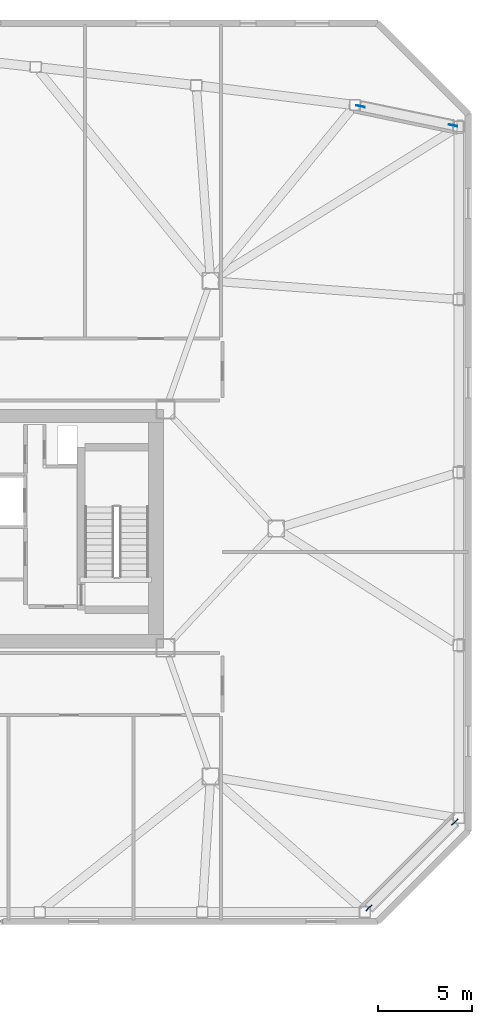
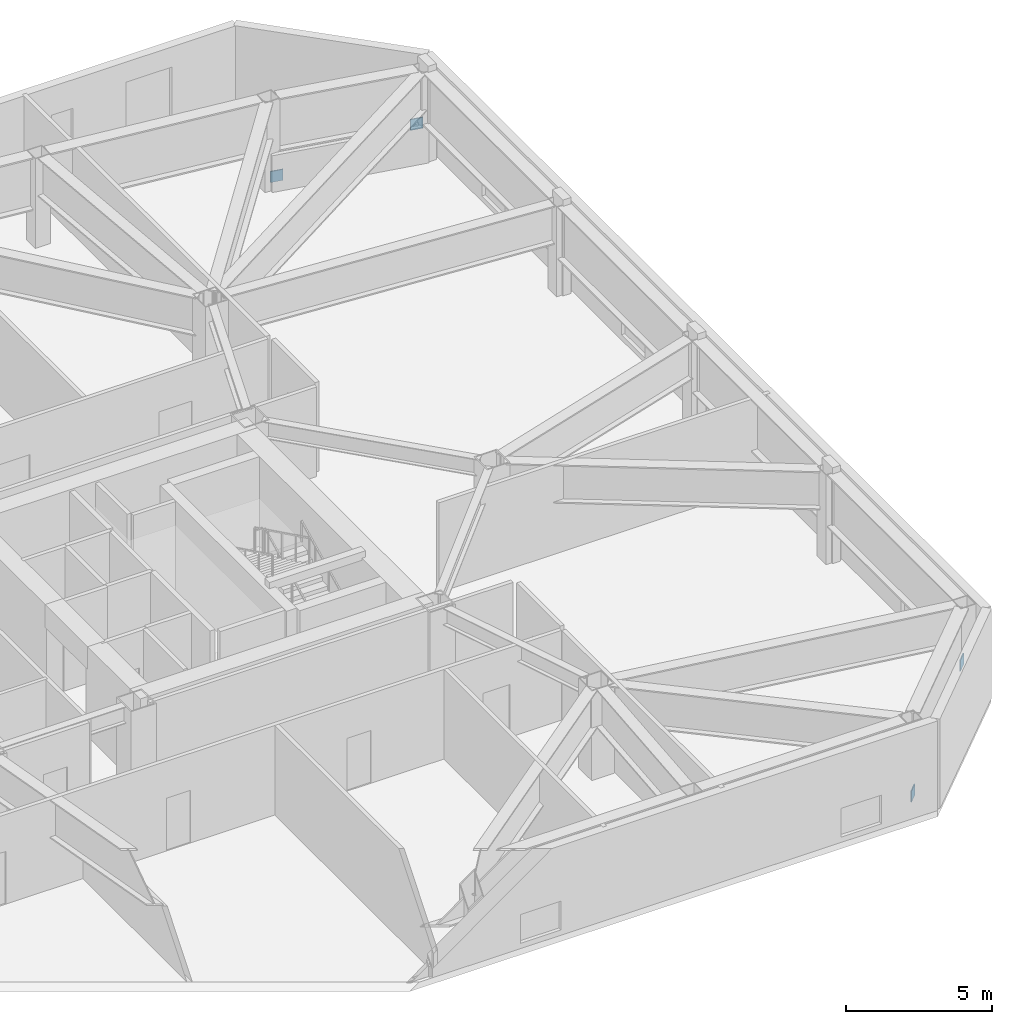
# One storey, part 16 of 18: 4 discrete accessories.
"""IFC4 building model written with IfcOpenShell, lengths in metres."""

from ifc_helpers import new_model, si_unit, direction, frame, origin, origin_2d, place, context, subcontext, project, spatial, rectangle, extrude, material, type_object, element, save


model = new_model("IFC4")

# Units and contexts
model_context = context("Model", 3, precision=1e-05, world=origin(), true_north=direction((0.0, 1.0)))
body_context = subcontext(model_context, "Body", "Model", "MODEL_VIEW")
ifc_project = project(units=[si_unit("LENGTHUNIT", "METRE"), si_unit("AREAUNIT", "SQUARE_METRE"), si_unit("VOLUMEUNIT", "CUBIC_METRE"), si_unit("PLANEANGLEUNIT", "RADIAN"), si_unit("MASSUNIT", "GRAM", prefix="KILO")], contexts=[model_context])

# Site, building, storey
site_placement = place(None, origin())
site = spatial("IfcSite", under=ifc_project, at=site_placement, CompositionType="ELEMENT")
building_placement = place(site_placement, origin())
building = spatial("IfcBuilding", under=site, at=building_placement, Name="Tavrogorsk Clinical Tower", CompositionType="ELEMENT")
storey_placement = place(building_placement, frame((0.0, 0.0, 152.199951171875)))
storey = spatial("IfcBuildingStorey", under=building, at=storey_placement, Name="L34", CompositionType="ELEMENT", Elevation=152.199951171875)

# Discrete accessories
ifc_material = material(Name="Structural steel S440", Category="steel")
discrete_accessory_type = type_object("IfcDiscreteAccessoryType", Name="GussetPlateBracket_25", PredefinedType="BRACKET", material=ifc_material)
for number, where, z_axis, x_axis, name in (
    (1, (32.934814453125, -20.205322265625, 0.12109375), (0.0, 0.0, 1.0), (0.707106781187, 0.707106781187, 0.0), "L34 Brace Gusset Plate EXOCRN-L34-1-A"),
    (2, (37.505126953125, -15.634765625, 1.208984375), (0.0, 0.0, 1.0), (0.707106781187, 0.707106781187, 0.0), "L34 Brace Gusset Plate EXOCRN-L34-1-B"),
    (3, (32.486328125, 22.504638671875, 0.133544921875), (0.0, 0.0, 1.0), (0.979187402648, -0.202958198889, 0.0), "L34 Brace Gusset Plate EXOCRN-L34-2-A"),
    (4, (37.4248046875, 21.481201171875, 1.196533203125), (0.0, 0.0, 1.0), (0.979187402648, -0.202958198889, 0.0), "L34 Brace Gusset Plate EXOCRN-L34-2-B"),
):
    element("IfcDiscreteAccessory", number, at=place(storey_placement, frame(where, z_axis=z_axis, x_axis=x_axis)), inside=storey, type_object=discrete_accessory_type, Name=name, PredefinedType="BRACKET", context=body_context, shape_type="SweptSolid", body=[
        extrude(rectangle(XDim=0.4599609375, YDim=0.0400390625, at=origin_2d()), origin(), (0.0, 0.0, 1.0), 0.4599609375),
    ])

save(model, "model.ifc")
